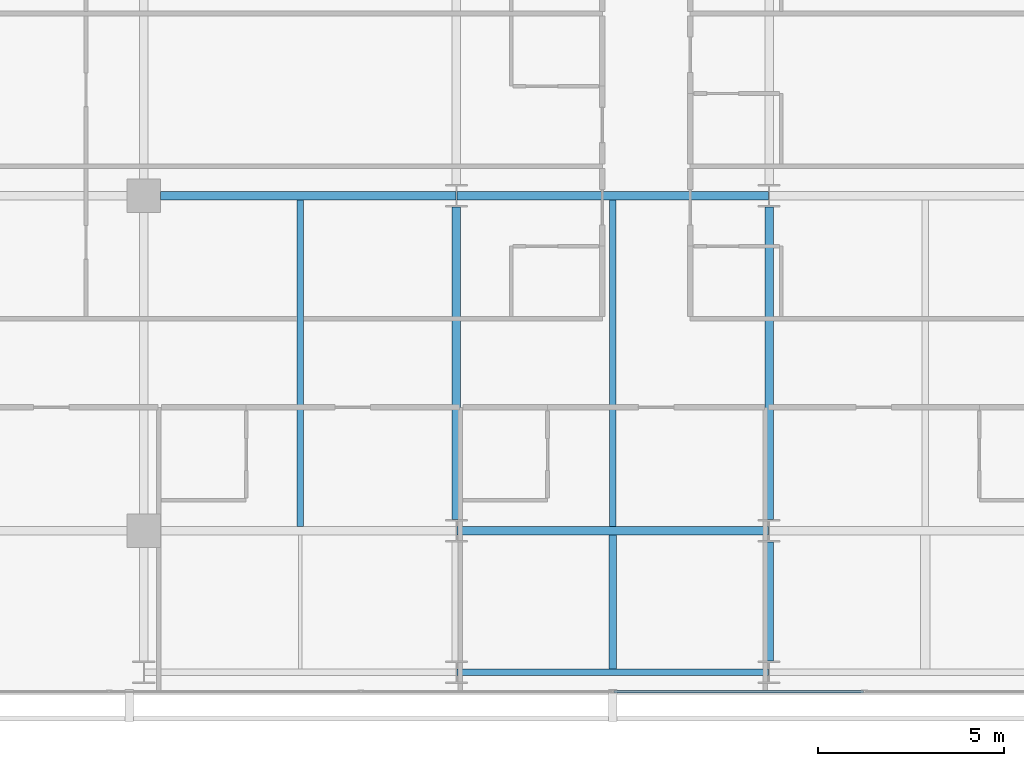
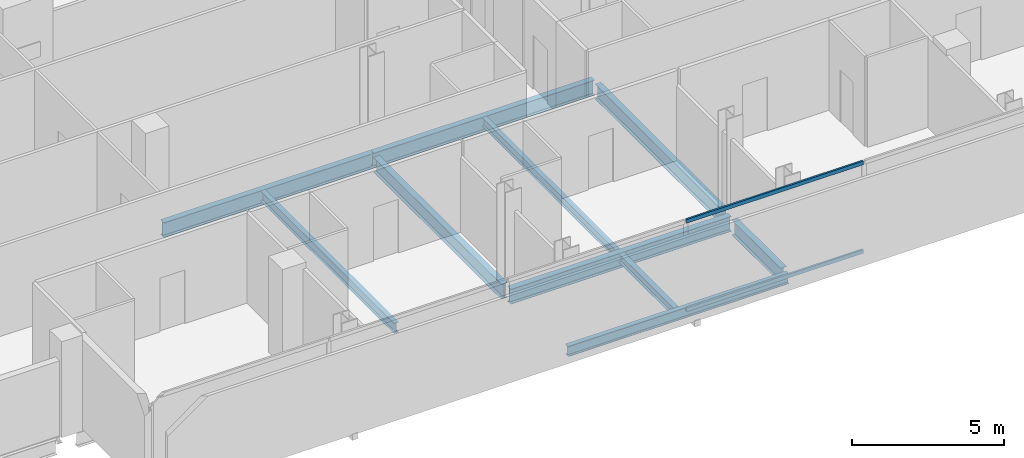
# One storey, part 7 of 34: 10 beams, 2 members, 1 element without a shape of its own.
"""IFC4 building model written with IfcOpenShell, lengths in metres."""

from ifc_helpers import new_model, si_unit, direction, frame, origin, origin_2d, place, context, subcontext, project, spatial, hollow_rectangle, i_section, extrude, material, layer, layer_set, material_profile, profile_set, type_object, element, aggregate, save


model = new_model("IFC4")

# Units and contexts
model_context = context("Model", 3, precision=1e-05, world=origin(), true_north=direction((0.0, 1.0)))
body_context = subcontext(model_context, "Body", "Model", "MODEL_VIEW")
ifc_project = project(units=[si_unit("LENGTHUNIT", "METRE"), si_unit("AREAUNIT", "SQUARE_METRE"), si_unit("VOLUMEUNIT", "CUBIC_METRE"), si_unit("PLANEANGLEUNIT", "RADIAN"), si_unit("MASSUNIT", "GRAM", prefix="KILO")], contexts=[model_context])

# Site, building, storey
site_placement = place(None, origin())
site = spatial("IfcSite", under=ifc_project, at=site_placement, CompositionType="ELEMENT")
building_placement = place(site_placement, origin())
building = spatial("IfcBuilding", under=site, at=building_placement, Name="Maruvema Waterfront Hotel and Observation Tower", CompositionType="ELEMENT")
storey_placement = place(building_placement, frame((0.0, 0.0, 181.300048828125)))
storey = spatial("IfcBuildingStorey", under=building, at=storey_placement, Name="L44", CompositionType="ELEMENT", Elevation=181.300048828125)

# Curtain wall, members
ifc_material_1 = material(Name="Anodised bronze aluminium and solar-control low-E IGU", Category="aluminium")
ifc_layer = layer(ifc_material_1, 0.159912109375, Name="Zone 2 Amber Inner Thermal Curtain Wall System CW-03")
ifc_layer_set = layer_set([ifc_layer], Name="Anodised bronze aluminium and solar-control low-E IGU")
curtain_wall_type = type_object("IfcCurtainWallType", Name="Zone 2 Amber Inner Thermal Curtain Wall System CW-03", PredefinedType="USERDEFINED", material=ifc_layer_set)
curtain_wall_placement = place(storey_placement, origin())
curtain_wall = element("IfcCurtainWall", 1, at=curtain_wall_placement, inside=storey, type_object=curtain_wall_type, Name="L44 Curtain Wall CW-L44-S", ObjectType="UNITISED CURTAIN WALL", PredefinedType="USERDEFINED")
ifc_material_2 = material(Name="Anodised architectural bronze aluminium", Category="aluminium")
ifc_material_profile_1 = material_profile(ifc_material_2, hollow_rectangle(XDim=0.070068359375, YDim=0.14990234375, WallThickness=0.00390625, at=origin_2d()), Name="ALU-T70x150")
ifc_profile_set_1 = profile_set([ifc_material_profile_1], Name="Anodised architectural bronze aluminium")
member_type = type_object("IfcMemberType", Name="Curtain Wall Horizontal Transom ALU-T70x150", PredefinedType="USERDEFINED", material=ifc_profile_set_1)
member_1_placement = place(storey_placement, frame((37.830078125, 4.679931640625, 0.030029296875), z_axis=(1.0, 0.0, 0.0), x_axis=(0.0, 1.0, 0.0)))
member_1 = element("IfcMember", 2, at=member_1_placement, type_object=member_type, Name="CW-03 transom 4.1", ObjectType="TRANSOM", PredefinedType="USERDEFINED", context=body_context, shape_type="SweptSolid", body=[
    extrude(hollow_rectangle(XDim=0.070068359375, YDim=0.14990234375, WallThickness=0.00390625, at=origin_2d()), origin(), (0.0, 0.0, 1.0), 6.70654296875),
])
member_2_placement = place(storey_placement, frame((37.830078125, 4.679931640625, 3.579833984375), z_axis=(1.0, 0.0, 0.0), x_axis=(0.0, 1.0, 0.0)))
member_2 = element("IfcMember", 3, at=member_2_placement, type_object=member_type, Name="CW-03 transom 4.2", ObjectType="TRANSOM", PredefinedType="USERDEFINED", context=body_context, shape_type="SweptSolid", body=[
    extrude(hollow_rectangle(XDim=0.070068359375, YDim=0.14990234375, WallThickness=0.00390625, at=origin_2d()), origin(), (0.0, 0.0, 1.0), 6.70654296875),
])
aggregate(curtain_wall, [member_1, member_2])

# Beams
ifc_material_3 = material(Name="Steel ASTM A572 Grade 50", Category="steel")
ifc_material_profile_2 = material_profile(ifc_material_3, i_section(OverallWidth=0.180908203125, OverallDepth=0.4169921875, WebThickness=0.010986328125, FlangeThickness=0.018310546875, FilletRadius=0.014892578125, at=origin_2d()), Name="W410x85.0")
ifc_profile_set_2 = profile_set([ifc_material_profile_2], Name="Steel ASTM A572 Grade 50")
beam_type_1 = type_object("IfcBeamType", Name="Perimeter Spandrel Beam W410x85.0", PredefinedType="SPANDREL", material=ifc_profile_set_2)
beam_1_placement = place(storey_placement, frame((33.612548828125, 5.199951171875, -0.448486328125), z_axis=(1.0, 0.0, 0.0), x_axis=(0.0, 1.0, 0.0)))
element("IfcBeam", 4, at=beam_1_placement, inside=storey, type_object=beam_type_1, Name="L44 Floor Girder EW-02", PredefinedType="SPANDREL", context=body_context, shape_type="SweptSolid", body=[
    extrude(i_section(OverallWidth=0.180908203125, OverallDepth=0.4169921875, WebThickness=0.010986328125, FlangeThickness=0.018310546875, FilletRadius=0.014892578125, at=origin_2d()), origin(), (0.0, 0.0, 1.0), 8.375),
])
ifc_material_4 = material(Name="Steel ASTM A572 Grade 50", Category="steel")
ifc_material_profile_3 = material_profile(ifc_material_4, i_section(OverallWidth=0.22802734375, OverallDepth=0.60302734375, WebThickness=0.010498046875, FlangeThickness=0.014892578125, FilletRadius=0.01806640625, at=origin_2d()), Name="W610x101.0")
ifc_profile_set_3 = profile_set([ifc_material_profile_3], Name="Steel ASTM A572 Grade 50")
beam_type_2 = type_object("IfcBeamType", Name="Primary Floor Girder W610x101.0", PredefinedType="BEAM", material=ifc_profile_set_3)
beam_2_placement = place(storey_placement, frame((33.612548828125, 9.0, -0.54150390625), z_axis=(1.0, 0.0, 0.0), x_axis=(0.0, 1.0, 0.0)))
element("IfcBeam", 5, at=beam_2_placement, inside=storey, type_object=beam_type_2, Name="L44 Floor Girder EW-07", PredefinedType="BEAM", context=body_context, shape_type="SweptSolid", body=[
    extrude(i_section(OverallWidth=0.22802734375, OverallDepth=0.60302734375, WebThickness=0.010498046875, FlangeThickness=0.014892578125, FilletRadius=0.01806640625, at=origin_2d()), origin(), (0.0, 0.0, 1.0), 8.375),
])
beam_3_placement = place(storey_placement, frame((25.64990234375, 18.0, -0.54150390625), z_axis=(1.0, 0.0, 0.0), x_axis=(0.0, 1.0, 0.0)))
element("IfcBeam", 6, at=beam_3_placement, inside=storey, type_object=beam_type_2, Name="L44 Floor Girder EW-13", PredefinedType="BEAM", context=body_context, shape_type="SweptSolid", body=[
    extrude(i_section(OverallWidth=0.22802734375, OverallDepth=0.60302734375, WebThickness=0.010498046875, FlangeThickness=0.014892578125, FilletRadius=0.01806640625, at=origin_2d()), origin(), (0.0, 0.0, 1.0), 7.9375),
])
beam_4_placement = place(storey_placement, frame((33.612548828125, 18.0, -0.54150390625), z_axis=(1.0, 0.0, 0.0), x_axis=(0.0, 1.0, 0.0)))
element("IfcBeam", 7, at=beam_4_placement, inside=storey, type_object=beam_type_2, Name="L44 Floor Girder EW-14", PredefinedType="BEAM", context=body_context, shape_type="SweptSolid", body=[
    extrude(i_section(OverallWidth=0.22802734375, OverallDepth=0.60302734375, WebThickness=0.010498046875, FlangeThickness=0.014892578125, FilletRadius=0.01806640625, at=origin_2d()), origin(), (0.0, 0.0, 1.0), 8.375),
])
beam_5_placement = place(storey_placement, frame((33.60009765625, 9.300048828125, -0.54150390625), z_axis=(0.0, 1.0, 0.0), x_axis=(-1.0, 0.0, 0.0)))
element("IfcBeam", 8, at=beam_5_placement, inside=storey, type_object=beam_type_2, Name="L44 Floor Girder NS-15", PredefinedType="BEAM", context=body_context, shape_type="SweptSolid", body=[
    extrude(i_section(OverallWidth=0.22802734375, OverallDepth=0.60302734375, WebThickness=0.010498046875, FlangeThickness=0.014892578125, FilletRadius=0.01806640625, at=origin_2d()), origin(), (0.0, 0.0, 1.0), 8.39990234375),
])
beam_6_placement = place(storey_placement, frame((42.0, 5.5, -0.54150390625), z_axis=(0.0, 1.0, 0.0), x_axis=(-1.0, 0.0, 0.0)))
element("IfcBeam", 9, at=beam_6_placement, inside=storey, type_object=beam_type_2, Name="L44 Floor Girder NS-17", PredefinedType="BEAM", context=body_context, shape_type="SweptSolid", body=[
    extrude(i_section(OverallWidth=0.22802734375, OverallDepth=0.60302734375, WebThickness=0.010498046875, FlangeThickness=0.014892578125, FilletRadius=0.01806640625, at=origin_2d()), origin(), (0.0, 0.0, 1.0), 3.199951171875),
])
beam_7_placement = place(storey_placement, frame((42.0, 9.300048828125, -0.54150390625), z_axis=(0.0, 1.0, 0.0), x_axis=(-1.0, 0.0, 0.0)))
element("IfcBeam", 10, at=beam_7_placement, inside=storey, type_object=beam_type_2, Name="L44 Floor Girder NS-18", PredefinedType="BEAM", context=body_context, shape_type="SweptSolid", body=[
    extrude(i_section(OverallWidth=0.22802734375, OverallDepth=0.60302734375, WebThickness=0.010498046875, FlangeThickness=0.014892578125, FilletRadius=0.01806640625, at=origin_2d()), origin(), (0.0, 0.0, 1.0), 8.39990234375),
])
ifc_material_5 = material(Name="Steel ASTM A572 Grade 50", Category="steel")
ifc_material_profile_4 = material_profile(ifc_material_5, i_section(OverallWidth=0.1708984375, OverallDepth=0.35498046875, WebThickness=0.007080078125, FlangeThickness=0.01171875, FilletRadius=0.014892578125, at=origin_2d()), Name="W360x51.0")
ifc_profile_set_4 = profile_set([ifc_material_profile_4], Name="Steel ASTM A572 Grade 50")
beam_type_3 = type_object("IfcBeamType", Name="Secondary Floor Joist W360x51.0", PredefinedType="JOIST", material=ifc_profile_set_4)
beam_8_placement = place(storey_placement, frame((37.800048828125, 9.114013671875, -0.41748046875), z_axis=(0.0, 1.0, 0.0), x_axis=(-1.0, 0.0, 0.0)))
element("IfcBeam", 11, at=beam_8_placement, inside=storey, type_object=beam_type_3, Name="L44 Secondary Floor Joist JS-08", PredefinedType="JOIST", context=body_context, shape_type="SweptSolid", body=[
    extrude(i_section(OverallWidth=0.1708984375, OverallDepth=0.35498046875, WebThickness=0.007080078125, FlangeThickness=0.01171875, FilletRadius=0.014892578125, at=origin_2d()), origin(), (0.0, 0.0, 1.0), 8.77197265625),
])
ifc_material_6 = material(Name="Steel ASTM A572 Grade 50", Category="steel")
ifc_material_profile_5 = material_profile(ifc_material_6, i_section(OverallWidth=0.202880859375, OverallDepth=0.346923828125, WebThickness=0.0078125, FlangeThickness=0.013427734375, FilletRadius=0.014892578125, at=origin_2d()), Name="W360x64.0")
ifc_profile_set_5 = profile_set([ifc_material_profile_5], Name="Steel ASTM A572 Grade 50")
beam_type_4 = type_object("IfcBeamType", Name="Secondary Floor Joist W360x64.0", PredefinedType="JOIST", material=ifc_profile_set_5)
beam_9_placement = place(storey_placement, frame((37.800048828125, 5.29052734375, -0.41357421875), z_axis=(0.0, 1.0, 0.0), x_axis=(-1.0, 0.0, 0.0)))
element("IfcBeam", 12, at=beam_9_placement, inside=storey, type_object=beam_type_4, Name="L44 Secondary Floor Joist JS-07", PredefinedType="JOIST", context=body_context, shape_type="SweptSolid", body=[
    extrude(i_section(OverallWidth=0.202880859375, OverallDepth=0.346923828125, WebThickness=0.0078125, FlangeThickness=0.013427734375, FilletRadius=0.014892578125, at=origin_2d()), origin(), (0.0, 0.0, 1.0), 3.595458984375),
])
ifc_material_7 = material(Name="Steel ASTM A572 Grade 50", Category="steel")
ifc_material_profile_6 = material_profile(ifc_material_7, i_section(OverallWidth=0.177001953125, OverallDepth=0.403076171875, WebThickness=0.007568359375, FlangeThickness=0.010986328125, FilletRadius=0.014892578125, at=origin_2d()), Name="W410x53.0")
ifc_profile_set_6 = profile_set([ifc_material_profile_6], Name="Steel ASTM A572 Grade 50")
beam_type_5 = type_object("IfcBeamType", Name="Secondary Floor Joist W410x53.0", PredefinedType="JOIST", material=ifc_profile_set_6)
beam_10_placement = place(storey_placement, frame((29.39990234375, 9.114013671875, -0.441650390625), z_axis=(0.0, 1.0, 0.0), x_axis=(-1.0, 0.0, 0.0)))
element("IfcBeam", 13, at=beam_10_placement, inside=storey, type_object=beam_type_5, Name="L44 Secondary Floor Joist JS-06", PredefinedType="JOIST", context=body_context, shape_type="SweptSolid", body=[
    extrude(i_section(OverallWidth=0.177001953125, OverallDepth=0.403076171875, WebThickness=0.007568359375, FlangeThickness=0.010986328125, FilletRadius=0.014892578125, at=origin_2d()), origin(), (0.0, 0.0, 1.0), 8.77197265625),
])

save(model, "model.ifc")
